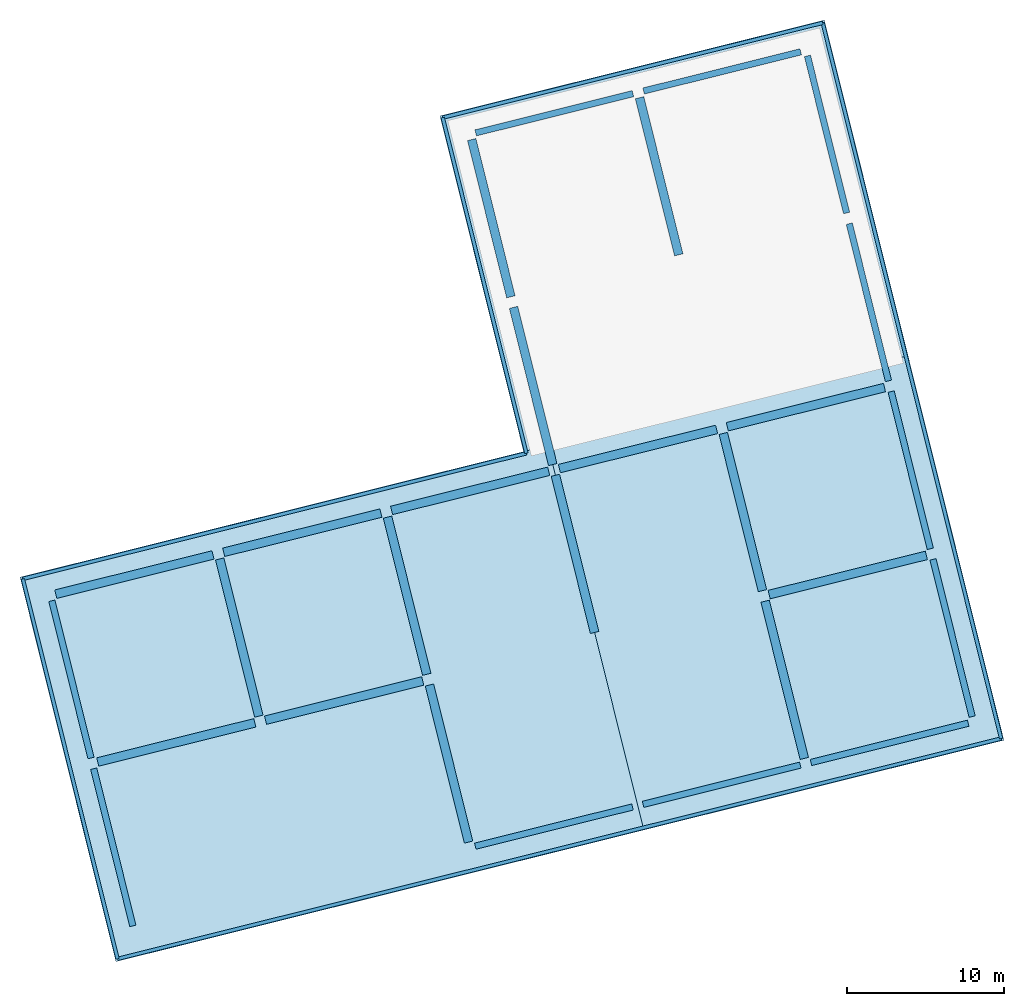
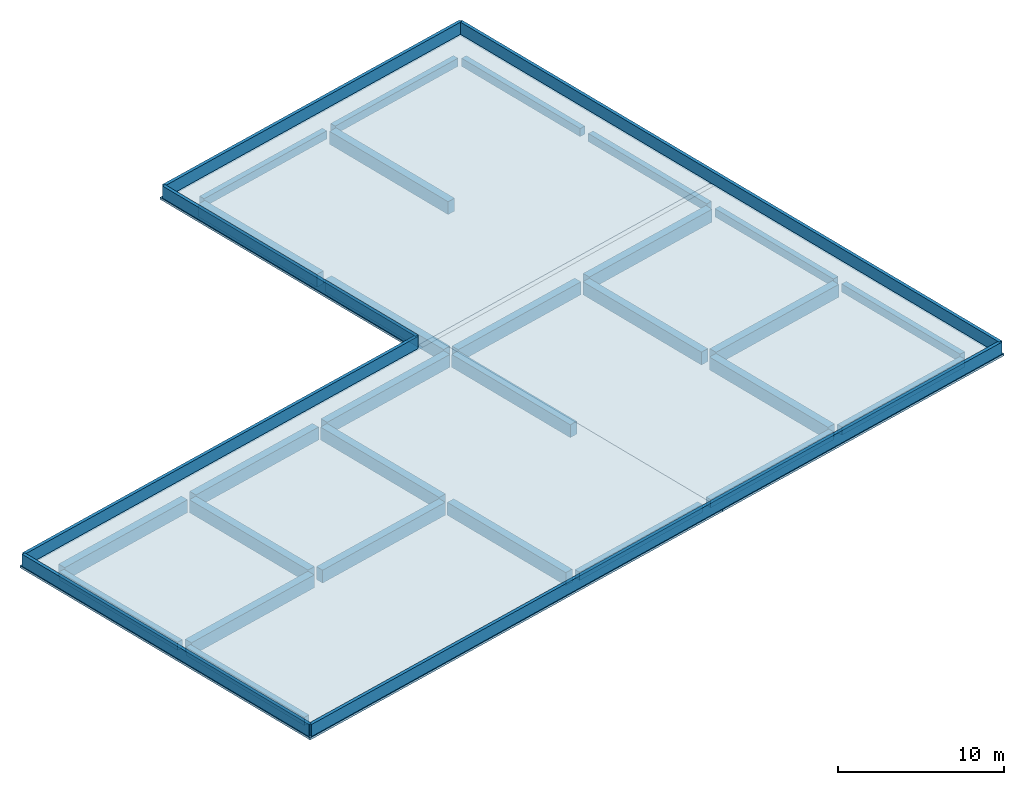
# One storey, part 1 of 2: 28 beams, 6 walls, 3 slabs, 3 elements without a shape of their own.
"""IFC4 building model written with IfcOpenShell, lengths in metres."""

from ifc_helpers import new_model, si_unit, direction, frame, frame_2d, origin, origin_2d, place, context, subcontext, project, spatial, polyline, rectangle, outline, extrude, material, layer, layer_set, material_profile, profile_set, type_object, element, aggregate, save


model = new_model("IFC4")

# Units and contexts
model_context = context("Model", 3, precision=1e-05, world=origin(), true_north=direction((0.0, 1.0)))
body_context = subcontext(model_context, "Body", "Model", "MODEL_VIEW")
ifc_project = project(units=[si_unit("LENGTHUNIT", "METRE"), si_unit("AREAUNIT", "SQUARE_METRE"), si_unit("VOLUMEUNIT", "CUBIC_METRE"), si_unit("PLANEANGLEUNIT", "RADIAN"), si_unit("MASSUNIT", "GRAM", prefix="KILO")], contexts=[model_context])

# Site, building, storey
site_placement = place(None, origin())
site = spatial("IfcSite", under=ifc_project, at=site_placement, CompositionType="ELEMENT")
building_placement = place(site_placement, origin())
building = spatial("IfcBuilding", under=site, at=building_placement, Name="Khorjan Park Terminus", CompositionType="ELEMENT")
storey_placement = place(building_placement, frame((0.0, 0.0, 28.8)))
storey = spatial("IfcBuildingStorey", under=building, at=storey_placement, Name="RF", CompositionType="ELEMENT", Elevation=28.8)

# Beams
ifc_material_1 = material(Name="Concrete C40/50", Category="concrete")
ifc_material_profile_1 = material_profile(ifc_material_1, rectangle(XDim=0.55, YDim=0.95, at=origin_2d()), Name="RC 550x950")
ifc_profile_set_1 = profile_set([ifc_material_profile_1], Name="Concrete C40/50")
beam_type_1 = type_object("IfcBeamType", Name="BM-RC550x950", PredefinedType="BEAM", material=ifc_profile_set_1)
beam_1_placement = place(storey_placement, frame((174.3517, 15.4191, -0.475), z_axis=(0.970295931229, 0.241921073577, 0.0), x_axis=(-0.241921073577, 0.970295931229, 0.0)))
element("IfcBeam", 1, at=beam_1_placement, inside=storey, type_object=beam_type_1, Name="Operations crown flat roof girder GB-95 (4)", PredefinedType="BEAM", context=body_context, shape_type="SweptSolid", body=[
    extrude(rectangle(XDim=0.55, YDim=0.95, at=origin_2d()), origin(), (0.0, 0.0, 1.0), 10.3001),
])
beam_2_placement = place(storey_placement, frame((185.025, 18.0802, -0.475), z_axis=(0.970295363012, 0.241923352567, 0.0), x_axis=(-0.241923352567, 0.970295363012, 0.0)))
element("IfcBeam", 2, at=beam_2_placement, inside=storey, type_object=beam_type_1, Name="Operations crown flat roof girder GB-95 (5)", PredefinedType="BEAM", context=body_context, shape_type="SweptSolid", body=[
    extrude(rectangle(XDim=0.55, YDim=0.95, at=origin_2d()), origin(), (0.0, 0.0, 1.0), 10.3),
])
beam_3_placement = place(storey_placement, frame((217.0447, 26.0636, -0.475), z_axis=(0.970295931229, 0.241921073577, 0.0), x_axis=(-0.241921073577, 0.970295931229, 0.0)))
element("IfcBeam", 3, at=beam_3_placement, inside=storey, type_object=beam_type_1, Name="Operations crown flat roof girder GB-95 (6)", PredefinedType="BEAM", context=body_context, shape_type="SweptSolid", body=[
    extrude(rectangle(XDim=0.55, YDim=0.95, at=origin_2d()), origin(), (0.0, 0.0, 1.0), 10.3001),
])
beam_4_placement = place(storey_placement, frame((171.6906, 26.0923, -0.475), z_axis=(0.970295363012, 0.241923352567, 0.0), x_axis=(-0.241923352567, 0.970295363012, 0.0)))
element("IfcBeam", 4, at=beam_4_placement, inside=storey, type_object=beam_type_1, Name="Operations crown flat roof girder GB-95 (7)", PredefinedType="BEAM", context=body_context, shape_type="SweptSolid", body=[
    extrude(rectangle(XDim=0.55, YDim=0.95, at=origin_2d()), origin(), (0.0, 0.0, 1.0), 10.3),
])
beam_5_placement = place(storey_placement, frame((182.3638, 28.7535, -0.475), z_axis=(0.970295931229, 0.241921073577, 0.0), x_axis=(-0.241921073577, 0.970295931229, 0.0)))
element("IfcBeam", 5, at=beam_5_placement, inside=storey, type_object=beam_type_1, Name="Operations crown flat roof girder GB-95 (8)", PredefinedType="BEAM", context=body_context, shape_type="SweptSolid", body=[
    extrude(rectangle(XDim=0.55, YDim=0.95, at=origin_2d()), origin(), (0.0, 0.0, 1.0), 10.3001),
])
beam_6_placement = place(storey_placement, frame((193.0371, 31.4146, -0.475), z_axis=(0.970295363012, 0.241923352567, 0.0), x_axis=(-0.241923352567, 0.970295363012, 0.0)))
element("IfcBeam", 6, at=beam_6_placement, inside=storey, type_object=beam_type_1, Name="Operations crown flat roof girder GB-95 (9)", PredefinedType="BEAM", context=body_context, shape_type="SweptSolid", body=[
    extrude(rectangle(XDim=0.55, YDim=0.95, at=origin_2d()), origin(), (0.0, 0.0, 1.0), 10.3),
])
beam_7_placement = place(storey_placement, frame((203.7103, 34.0757, -0.475), z_axis=(0.970295931229, 0.241921073577, 0.0), x_axis=(-0.241921073577, 0.970295931229, 0.0)))
element("IfcBeam", 7, at=beam_7_placement, inside=storey, type_object=beam_type_1, Name="Operations crown flat roof girder GB-95 (10)", PredefinedType="BEAM", context=body_context, shape_type="SweptSolid", body=[
    extrude(rectangle(XDim=0.55, YDim=0.95, at=origin_2d()), origin(), (0.0, 0.0, 1.0), 10.3001),
])
beam_8_placement = place(storey_placement, frame((214.3836, 36.7369, -0.475), z_axis=(0.970295363012, 0.241923352567, 0.0), x_axis=(-0.241923352567, 0.970295363012, 0.0)))
element("IfcBeam", 8, at=beam_8_placement, inside=storey, type_object=beam_type_1, Name="Operations crown flat roof girder GB-95 (11)", PredefinedType="BEAM", context=body_context, shape_type="SweptSolid", body=[
    extrude(rectangle(XDim=0.55, YDim=0.95, at=origin_2d()), origin(), (0.0, 0.0, 1.0), 10.3),
])
for number, where, z_axis, x_axis, name in (
    (9, (184.6007, 18.3351, -0.475), (-0.241921073577, 0.970295931229, 0.0), (-0.970295931229, -0.241921073577, 0.0), "Operations crown flat roof girder GB-95 (16)"),
    (10, (197.9351, 10.323, -0.475), (-0.241921073577, 0.970295931229, 0.0), (-0.970295931229, -0.241921073577, 0.0), "Operations crown flat roof girder GB-95 (17)"),
):
    element("IfcBeam", number, at=place(storey_placement, frame(where, z_axis=z_axis, x_axis=x_axis)), inside=storey, type_object=beam_type_1, Name=name, PredefinedType="BEAM", context=body_context, shape_type="SweptSolid", body=[
        extrude(rectangle(XDim=0.55, YDim=0.95, at=origin_2d()), origin(), (0.0, 0.0, 1.0), 10.3001),
    ])
beam_9_placement = place(storey_placement, frame((195.2739, 20.9963, -0.475), z_axis=(-0.241923352567, 0.970295363012, 0.0), x_axis=(-0.970295363012, -0.241923352567, 0.0)))
element("IfcBeam", 11, at=beam_9_placement, inside=storey, type_object=beam_type_1, Name="Operations crown flat roof girder GB-95 (18)", PredefinedType="BEAM", context=body_context, shape_type="SweptSolid", body=[
    extrude(rectangle(XDim=0.55, YDim=0.95, at=origin_2d()), origin(), (0.0, 0.0, 1.0), 10.3),
])
beam_10_placement = place(storey_placement, frame((205.9472, 23.6574, -0.475), z_axis=(-0.241921073577, 0.970295931229, 0.0), x_axis=(-0.970295931229, -0.241921073577, 0.0)))
element("IfcBeam", 12, at=beam_10_placement, inside=storey, type_object=beam_type_1, Name="Operations crown flat roof girder GB-95 (19)", PredefinedType="BEAM", context=body_context, shape_type="SweptSolid", body=[
    extrude(rectangle(XDim=0.55, YDim=0.95, at=origin_2d()), origin(), (0.0, 0.0, 1.0), 10.3001),
])
beam_11_placement = place(storey_placement, frame((203.2861, 34.3307, -0.475), z_axis=(-0.241923352567, 0.970295363012, 0.0), x_axis=(-0.970295363012, -0.241923352567, 0.0)))
element("IfcBeam", 13, at=beam_11_placement, inside=storey, type_object=beam_type_1, Name="Operations crown flat roof girder GB-95 (20)", PredefinedType="BEAM", context=body_context, shape_type="SweptSolid", body=[
    extrude(rectangle(XDim=0.55, YDim=0.95, at=origin_2d()), origin(), (0.0, 0.0, 1.0), 10.3),
])
for number, where, z_axis, x_axis, name in (
    (14, (200.6249, 45.0039, -0.475), (-0.241921073577, 0.970295931229, 0.0), (-0.970295931229, -0.241921073577, 0.0), "Operations crown flat roof girder GB-95 (21)"),
    (15, (219.2816, 15.6453, -0.475), (-0.241921073577, 0.970295931229, 0.0), (-0.970295931229, -0.241921073577, 0.0), "Operations crown flat roof girder GB-95 (22)"),
):
    element("IfcBeam", number, at=place(storey_placement, frame(where, z_axis=z_axis, x_axis=x_axis)), inside=storey, type_object=beam_type_1, Name=name, PredefinedType="BEAM", context=body_context, shape_type="SweptSolid", body=[
        extrude(rectangle(XDim=0.55, YDim=0.95, at=origin_2d()), origin(), (0.0, 0.0, 1.0), 10.3001),
    ])
for number, where, z_axis, x_axis, name in (
    (16, (216.6205, 26.3186, -0.475), (-0.241923352567, 0.970295363012, 0.0), (-0.970295363012, -0.241923352567, 0.0), "Operations crown flat roof girder GB-95 (23)"),
    (17, (211.2982, 47.6651, -0.475), (-0.241923352567, 0.970295363012, 0.0), (-0.970295363012, -0.241923352567, 0.0), "Operations crown flat roof girder GB-95 (24)"),
):
    element("IfcBeam", number, at=place(storey_placement, frame(where, z_axis=z_axis, x_axis=x_axis)), inside=storey, type_object=beam_type_1, Name=name, PredefinedType="BEAM", context=body_context, shape_type="SweptSolid", body=[
        extrude(rectangle(XDim=0.55, YDim=0.95, at=origin_2d()), origin(), (0.0, 0.0, 1.0), 10.3),
    ])
ifc_material_profile_2 = material_profile(ifc_material_1, rectangle(XDim=0.4, YDim=0.6, at=origin_2d()), Name="RC 400x600")
ifc_profile_set_2 = profile_set([ifc_material_profile_2], Name="Concrete C40/50")
beam_type_2 = type_object("IfcBeamType", Name="SP-RC400x600", PredefinedType="SPANDREL", material=ifc_profile_set_2)
beam_12_placement = place(storey_placement, frame((198.3594, 10.0681, -0.3), z_axis=(0.970295363012, 0.241923352567, 0.0), x_axis=(-0.241923352567, 0.970295363012, 0.0)))
element("IfcBeam", 18, at=beam_12_placement, inside=storey, type_object=beam_type_2, Name="Operations crown flat roof girder SP-06 (1)", PredefinedType="SPANDREL", context=body_context, shape_type="SweptSolid", body=[
    extrude(rectangle(XDim=0.4, YDim=0.6, at=origin_2d()), origin(), (0.0, 0.0, 1.0), 10.3),
])
beam_13_placement = place(storey_placement, frame((209.0326, 12.7292, -0.3), z_axis=(0.970295931229, 0.241921073577, 0.0), x_axis=(-0.241921073577, 0.970295931229, 0.0)))
element("IfcBeam", 19, at=beam_13_placement, inside=storey, type_object=beam_type_2, Name="Operations crown flat roof girder SP-06 (2)", PredefinedType="SPANDREL", context=body_context, shape_type="SweptSolid", body=[
    extrude(rectangle(XDim=0.4, YDim=0.6, at=origin_2d()), origin(), (0.0, 0.0, 1.0), 10.3001),
])
for number, where, z_axis, x_axis, name in (
    (20, (219.7059, 15.3904, -0.3), (0.970295363012, 0.241923352567, 0.0), (-0.241923352567, 0.970295363012, 0.0), "Operations crown flat roof girder SP-06 (3)"),
    (21, (198.3881, 55.4222, -0.3), (0.970295363012, 0.241923352567, 0.0), (-0.241923352567, 0.970295363012, 0.0), "Operations crown flat roof girder SP-06 (12)"),
):
    element("IfcBeam", number, at=place(storey_placement, frame(where, z_axis=z_axis, x_axis=x_axis)), inside=storey, type_object=beam_type_2, Name=name, PredefinedType="SPANDREL", context=body_context, shape_type="SweptSolid", body=[
        extrude(rectangle(XDim=0.4, YDim=0.6, at=origin_2d()), origin(), (0.0, 0.0, 1.0), 10.3),
    ])
for number, where, z_axis, x_axis, name in (
    (22, (209.0613, 58.0834, -0.3), (0.970295931229, 0.241921073577, 0.0), (-0.241921073577, 0.970295931229, 0.0), "Operations crown flat roof girder SP-06 (13)"),
    (23, (176.5886, 5.0007, -0.3), (-0.241921073577, 0.970295931229, 0.0), (-0.970295931229, -0.241921073577, 0.0), "Operations crown flat roof girder SP-06 (14)"),
):
    element("IfcBeam", number, at=place(storey_placement, frame(where, z_axis=z_axis, x_axis=x_axis)), inside=storey, type_object=beam_type_2, Name=name, PredefinedType="SPANDREL", context=body_context, shape_type="SweptSolid", body=[
        extrude(rectangle(XDim=0.4, YDim=0.6, at=origin_2d()), origin(), (0.0, 0.0, 1.0), 10.3001),
    ])
beam_14_placement = place(storey_placement, frame((173.9274, 15.674, -0.3), z_axis=(-0.241923352567, 0.970295363012, 0.0), x_axis=(-0.970295363012, -0.241923352567, 0.0)))
element("IfcBeam", 24, at=beam_14_placement, inside=storey, type_object=beam_type_2, Name="Operations crown flat roof girder SP-06 (15)", PredefinedType="SPANDREL", context=body_context, shape_type="SweptSolid", body=[
    extrude(rectangle(XDim=0.4, YDim=0.6, at=origin_2d()), origin(), (0.0, 0.0, 1.0), 10.3),
])
beam_15_placement = place(storey_placement, frame((229.9548, 18.3064, -0.3), z_axis=(-0.241921073577, 0.970295931229, 0.0), x_axis=(-0.970295931229, -0.241921073577, 0.0)))
element("IfcBeam", 25, at=beam_15_placement, inside=storey, type_object=beam_type_2, Name="Operations crown flat roof girder SP-06 (25)", PredefinedType="SPANDREL", context=body_context, shape_type="SweptSolid", body=[
    extrude(rectangle(XDim=0.4, YDim=0.6, at=origin_2d()), origin(), (0.0, 0.0, 1.0), 10.3001),
])
for number, where, z_axis, x_axis, name in (
    (26, (227.2937, 28.9797, -0.3), (-0.241923352567, 0.970295363012, 0.0), (-0.970295363012, -0.241923352567, 0.0), "Operations crown flat roof girder SP-06 (26)"),
    (27, (224.6326, 39.653, -0.3), (-0.241923352567, 0.970295363012, 0.0), (-0.970295363012, -0.241923352567, 0.0), "Operations crown flat roof girder SP-06 (27)"),
):
    element("IfcBeam", number, at=place(storey_placement, frame(where, z_axis=z_axis, x_axis=x_axis)), inside=storey, type_object=beam_type_2, Name=name, PredefinedType="SPANDREL", context=body_context, shape_type="SweptSolid", body=[
        extrude(rectangle(XDim=0.4, YDim=0.6, at=origin_2d()), origin(), (0.0, 0.0, 1.0), 10.3),
    ])
beam_16_placement = place(storey_placement, frame((221.9714, 50.3262, -0.3), z_axis=(-0.241921073577, 0.970295931229, 0.0), x_axis=(-0.970295931229, -0.241921073577, 0.0)))
element("IfcBeam", 28, at=beam_16_placement, inside=storey, type_object=beam_type_2, Name="Operations crown flat roof girder SP-06 (28)", PredefinedType="SPANDREL", context=body_context, shape_type="SweptSolid", body=[
    extrude(rectangle(XDim=0.4, YDim=0.6, at=origin_2d()), origin(), (0.0, 0.0, 1.0), 10.3001),
])

# Roof, slab
ifc_layer_1 = layer(ifc_material_1, 0.16)
ifc_layer_set_1 = layer_set([ifc_layer_1], Name="Concrete C40/50")
roof_type = type_object("IfcRoofType", Name="RF-FLAT-SIDE", PredefinedType="FLAT_ROOF", material=ifc_layer_set_1)
roof_1_placement = place(storey_placement, origin())
roof_1 = element("IfcRoof", 29, at=roof_1_placement, inside=storey, type_object=roof_type, Name="Operations wing crisp flat crown roof RF-SD1 (1)", PredefinedType="FLAT_ROOF")
ifc_material_2 = material(Name="Concrete C50/60", Category="concrete")
ifc_layer_2 = layer(ifc_material_2, 0.16)
ifc_layer_set_2 = layer_set([ifc_layer_2], Name="Concrete C50/60")
slab_type = type_object("IfcSlabType", Name="SL-SHL-160", PredefinedType="ROOF", material=ifc_layer_set_2)
slab_1_placement = place(storey_placement, origin())
slab_1 = element("IfcSlab", 30, at=slab_1_placement, type_object=slab_type, Name="Operations crown crisp flat roof slab RS-16 (1)", PredefinedType="ROOF", context=body_context, shape_type="SweptSolid", body=[
    extrude(outline(polyline([(175.5079, 2.7216), (209.0801, 11.0921), (202.9837, 35.5435), (169.4114, 27.173), (175.5079, 2.7216)])), origin(), (0.0, 0.0, 1.0), 0.16),
])
aggregate(roof_1, [slab_1])

roof_2_placement = place(storey_placement, origin())
roof_2 = element("IfcRoof", 31, at=roof_2_placement, inside=storey, type_object=roof_type, Name="Operations wing crisp flat crown roof RF-SD1 (2)", PredefinedType="FLAT_ROOF")
slab_2_placement = place(storey_placement, origin())
slab_2 = element("IfcSlab", 32, at=slab_2_placement, type_object=slab_type, Name="Operations crown crisp flat roof slab RS-16 (2)", PredefinedType="ROOF", context=body_context, shape_type="SweptSolid", body=[
    extrude(outline(polyline([(209.0801, 11.0921), (231.9791, 16.8014), (225.8826, 41.2529), (202.9837, 35.5435), (209.0801, 11.0921)])), origin(), (0.0, 0.0, 1.0), 0.16),
])
aggregate(roof_2, [slab_2])

roof_3_placement = place(storey_placement, origin())
roof_3 = element("IfcRoof", 33, at=roof_3_placement, inside=storey, type_object=roof_type, Name="Operations wing crisp flat crown roof RF-SD1 (3)", PredefinedType="FLAT_ROOF")
slab_3_placement = place(storey_placement, origin())
slab_3 = element("IfcSlab", 34, at=slab_3_placement, type_object=slab_type, Name="Operations crown crisp flat roof slab RS-16 (3)", PredefinedType="ROOF", context=body_context, shape_type="SweptSolid", body=[
    extrude(outline(polyline([(201.4312, 35.1565), (225.8826, 41.2529), (220.5604, 62.5994), (196.1089, 56.503), (201.4312, 35.1565)])), origin(), (0.0, 0.0, 1.0), 0.16),
])
aggregate(roof_3, [slab_3])

# Walls
ifc_material_3 = material(Name="Pigmented Precast GRC & Concrete C40/50", Category="concrete")
ifc_layer_3 = layer(ifc_material_3, 0.22)
ifc_layer_set_3 = layer_set([ifc_layer_3], Name="Pigmented Precast GRC & Concrete C40/50")
wall_type = type_object("IfcWallType", Name="EW-PAR-220", PredefinedType="PARAPET", material=ifc_layer_set_3)
wall_1_placement = place(storey_placement, frame((175.6171, 2.9034, 0.16), z_axis=(0.0, 0.0, 1.0), x_axis=(0.970295613297, 0.241922348734, 0.0)))
element("IfcWall", 35, at=wall_1_placement, inside=storey, type_object=wall_type, Name="Operations flat-roof perimeter parapet PW-22 (1)", PredefinedType="PARAPET", context=body_context, shape_type="SweptSolid", body=[
    extrude(rectangle(XDim=57.9, YDim=0.22, at=frame_2d((28.95, 0.0))), origin(), (0.0, 0.0, 1.0), 0.89),
])
wall_2_placement = place(storey_placement, frame((231.7972, 16.9107, 0.16), z_axis=(0.0, 0.0, 1.0), x_axis=(-0.241921002453, 0.970295948962, 0.0)))
element("IfcWall", 36, at=wall_2_placement, inside=storey, type_object=wall_type, Name="Operations flat-roof perimeter parapet PW-22 (2)", PredefinedType="PARAPET", context=body_context, shape_type="SweptSolid", body=[
    extrude(rectangle(XDim=46.9, YDim=0.22, at=frame_2d((23.45, 0.0))), origin(), (0.0, 0.0, 1.0), 0.89),
])
wall_3_placement = place(storey_placement, frame((220.4511, 62.4176, 0.16), z_axis=(0.0, 0.0, 1.0), x_axis=(-0.970295389537, -0.241923246181, 0.0)))
element("IfcWall", 37, at=wall_3_placement, inside=storey, type_object=wall_type, Name="Operations flat-roof perimeter parapet PW-22 (3)", PredefinedType="PARAPET", context=body_context, shape_type="SweptSolid", body=[
    extrude(rectangle(XDim=24.9, YDim=0.22, at=frame_2d((12.45, 0.0))), origin(), (0.0, 0.0, 1.0), 0.89),
])
wall_4_placement = place(storey_placement, frame((196.2907, 56.3937, 0.16), z_axis=(0.0, 0.0, 1.0), x_axis=(0.241922742383, -0.970295515149, 0.0)))
element("IfcWall", 38, at=wall_4_placement, inside=storey, type_object=wall_type, Name="Operations flat-roof perimeter parapet PW-22 (4)", PredefinedType="PARAPET", context=body_context, shape_type="SweptSolid", body=[
    extrude(rectangle(XDim=22.0, YDim=0.22, at=frame_2d((11.0, 0.0))), origin(), (0.0, 0.0, 1.0), 0.89),
])
wall_5_placement = place(storey_placement, frame((201.613, 35.0472, 0.16), z_axis=(0.0, 0.0, 1.0), x_axis=(-0.970295782134, -0.241921671567, 0.0)))
element("IfcWall", 39, at=wall_5_placement, inside=storey, type_object=wall_type, Name="Operations flat-roof perimeter parapet PW-22 (5)", PredefinedType="PARAPET", context=body_context, shape_type="SweptSolid", body=[
    extrude(rectangle(XDim=32.9999, YDim=0.22, at=frame_2d((16.4999, 0.0))), origin(), (0.0, 0.0, 1.0), 0.89),
])
wall_6_placement = place(storey_placement, frame((169.5933, 27.0638, 0.16), z_axis=(0.0, 0.0, 1.0), x_axis=(0.241919465166, -0.970296332248, 0.0)))
element("IfcWall", 40, at=wall_6_placement, inside=storey, type_object=wall_type, Name="Operations flat-roof perimeter parapet PW-22 (6)", PredefinedType="PARAPET", context=body_context, shape_type="SweptSolid", body=[
    extrude(rectangle(XDim=24.9, YDim=0.22, at=frame_2d((12.45, 0.0))), origin(), (0.0, 0.0, 1.0), 0.89),
])

save(model, "model.ifc")
